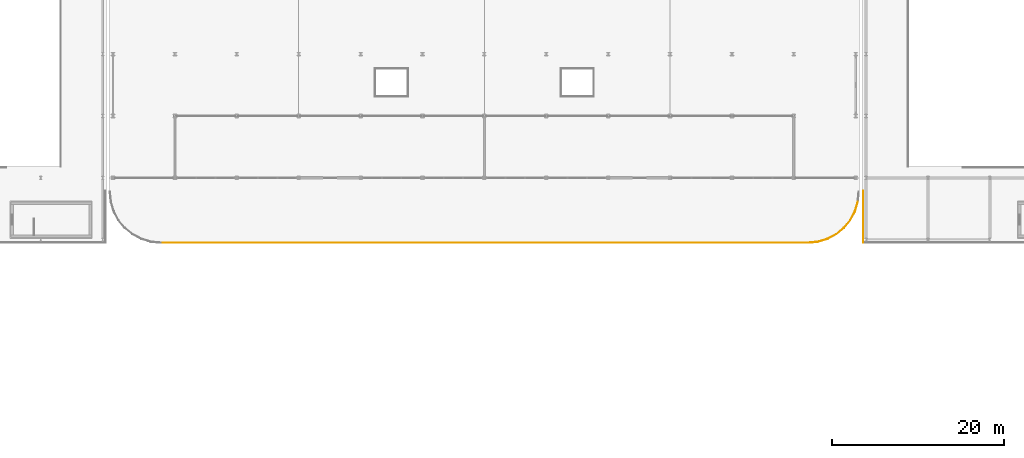
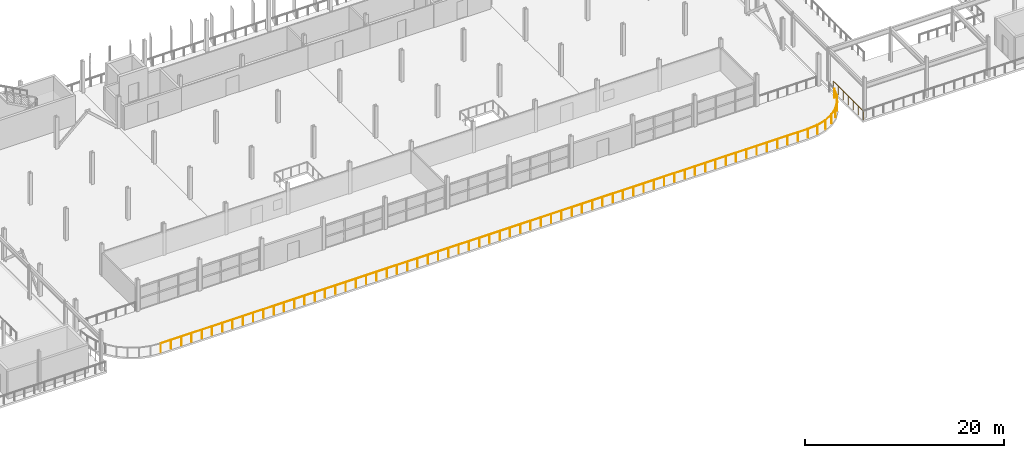
# One storey, part 35 of 40: 9 railings.
"""IFC4 building model written with IfcOpenShell, lengths in metres."""

from ifc_helpers import new_model, si_unit, direction, frame, origin, origin_2d, place, context, subcontext, project, spatial, circle, extrude, material, layer, layer_set, type_object, element, save


model = new_model("IFC4")

# Units and contexts
model_context = context("Model", 3, precision=1e-05, world=origin(), true_north=direction((0.0, 1.0)))
body_context = subcontext(model_context, "Body", "Model", "MODEL_VIEW")
ifc_project = project(units=[si_unit("LENGTHUNIT", "METRE"), si_unit("AREAUNIT", "SQUARE_METRE"), si_unit("VOLUMEUNIT", "CUBIC_METRE"), si_unit("PLANEANGLEUNIT", "RADIAN"), si_unit("MASSUNIT", "GRAM", prefix="KILO")], contexts=[model_context])

# Site, building, storey
site_placement = place(None, origin())
site = spatial("IfcSite", under=ifc_project, at=site_placement, CompositionType="ELEMENT")
building_placement = place(site_placement, origin())
building = spatial("IfcBuilding", under=site, at=building_placement, Name="Vaelcorin Mobility Hub", CompositionType="ELEMENT")
storey_placement = place(building_placement, frame((0.0, 0.0, 17.10009765625)))
storey = spatial("IfcBuildingStorey", under=building, at=storey_placement, Name="L04", CompositionType="ELEMENT", Elevation=17.10009765625)

# Railings
ifc_material_1 = material(Name="Galvanised structural steel ASTM A36", Category="steel")
ifc_layer_1 = layer(ifc_material_1, 0.070068359375)
ifc_layer_set_1 = layer_set([ifc_layer_1], Name="Galvanised structural steel ASTM A36")
railing_type_1 = type_object("IfcRailingType", Name="RL-GUARD-1100", PredefinedType="BALUSTRADE", material=ifc_layer_set_1)
railing_1_placement = place(storey_placement, frame((123.27001953125, 76.469970703125, 0.0)))
element("IfcRailing", 1, at=railing_1_placement, inside=storey, type_object=railing_type_1, Name="L04 Perimeter Guard GR-V2E-L04-16", PredefinedType="BALUSTRADE", context=body_context, shape_type="SweptSolid", body=[
    extrude(circle(Radius=0.02392578125, at=origin_2d()), frame((0.0, 0.0, 1.076171875), z_axis=(0.0, 1.0, 0.0), x_axis=(-1.0, 0.0, 0.0)), (0.0, 0.0, 1.0), 6.030029296875),
    extrude(circle(Radius=0.02099609375, at=origin_2d()), origin(), (0.0, 0.0, 1.0), 1.052001953125),
    extrude(circle(Radius=0.02099609375, at=origin_2d()), frame((0.0, 1.0048828125, 0.0)), (0.0, 0.0, 1.0), 1.052001953125),
    extrude(circle(Radius=0.02099609375, at=origin_2d()), frame((0.0, 2.010009765625, 0.0)), (0.0, 0.0, 1.0), 1.052001953125),
    extrude(circle(Radius=0.02099609375, at=origin_2d()), frame((0.0, 3.01513671875, 0.0)), (0.0, 0.0, 1.0), 1.052001953125),
    extrude(circle(Radius=0.02099609375, at=origin_2d()), frame((0.0, 4.02001953125, 0.0)), (0.0, 0.0, 1.0), 1.052001953125),
    extrude(circle(Radius=0.02099609375, at=origin_2d()), frame((0.0, 5.02490234375, 0.0)), (0.0, 0.0, 1.0), 1.052001953125),
    extrude(circle(Radius=0.02099609375, at=origin_2d()), frame((0.0, 6.030029296875, 0.0)), (0.0, 0.0, 1.0), 1.052001953125),
])
ifc_material_2 = material(Name="Anodised aluminium 6063-T6", Category="aluminium")
ifc_layer_2 = layer(ifc_material_2, 0.070068359375)
ifc_layer_set_2 = layer_set([ifc_layer_2], Name="Anodised aluminium 6063-T6")
railing_type_2 = type_object("IfcRailingType", Name="RL-GUARD-1150", PredefinedType="BALUSTRADE", material=ifc_layer_set_2)
railing_2_placement = place(storey_placement, frame((41.550048828125, 76.449951171875, 0.0)))
element("IfcRailing", 2, at=railing_2_placement, inside=storey, type_object=railing_type_2, Name="L04 Perimeter Guard GR-L04-VERANDA-09", PredefinedType="BALUSTRADE", context=body_context, shape_type="SweptSolid", body=[
    extrude(circle(Radius=0.02392578125, at=origin_2d()), frame((0.0, 0.0, 1.1259765625), z_axis=(1.0, 0.0, 0.0), x_axis=(0.0, 1.0, 0.0)), (0.0, 0.0, 1.0), 75.300048828125),
    extrude(circle(Radius=0.02099609375, at=origin_2d()), origin(), (0.0, 0.0, 1.0), 1.101806640625),
    extrude(circle(Radius=0.02099609375, at=origin_2d()), frame((1.1953125, 0.0, 0.0)), (0.0, 0.0, 1.0), 1.101806640625),
    extrude(circle(Radius=0.02099609375, at=origin_2d()), frame((2.390380859375, 0.0, 0.0)), (0.0, 0.0, 1.0), 1.101806640625),
    extrude(circle(Radius=0.02099609375, at=origin_2d()), frame((3.585693359375, 0.0, 0.0)), (0.0, 0.0, 1.0), 1.101806640625),
    extrude(circle(Radius=0.02099609375, at=origin_2d()), frame((4.781005859375, 0.0, 0.0)), (0.0, 0.0, 1.0), 1.101806640625),
    extrude(circle(Radius=0.02099609375, at=origin_2d()), frame((5.97607421875, 0.0, 0.0)), (0.0, 0.0, 1.0), 1.101806640625),
    extrude(circle(Radius=0.02099609375, at=origin_2d()), frame((7.17138671875, 0.0, 0.0)), (0.0, 0.0, 1.0), 1.101806640625),
    extrude(circle(Radius=0.02099609375, at=origin_2d()), frame((8.36669921875, 0.0, 0.0)), (0.0, 0.0, 1.0), 1.101806640625),
    extrude(circle(Radius=0.02099609375, at=origin_2d()), frame((9.56201171875, 0.0, 0.0)), (0.0, 0.0, 1.0), 1.101806640625),
    extrude(circle(Radius=0.02099609375, at=origin_2d()), frame((10.757080078125, 0.0, 0.0)), (0.0, 0.0, 1.0), 1.101806640625),
    extrude(circle(Radius=0.02099609375, at=origin_2d()), frame((11.952392578125, 0.0, 0.0)), (0.0, 0.0, 1.0), 1.101806640625),
    extrude(circle(Radius=0.02099609375, at=origin_2d()), frame((13.147705078125, 0.0, 0.0)), (0.0, 0.0, 1.0), 1.101806640625),
    extrude(circle(Radius=0.02099609375, at=origin_2d()), frame((14.3427734375, 0.0, 0.0)), (0.0, 0.0, 1.0), 1.101806640625),
    extrude(circle(Radius=0.02099609375, at=origin_2d()), frame((15.5380859375, 0.0, 0.0)), (0.0, 0.0, 1.0), 1.101806640625),
    extrude(circle(Radius=0.02099609375, at=origin_2d()), frame((16.7333984375, 0.0, 0.0)), (0.0, 0.0, 1.0), 1.101806640625),
    extrude(circle(Radius=0.02099609375, at=origin_2d()), frame((17.928466796875, 0.0, 0.0)), (0.0, 0.0, 1.0), 1.101806640625),
    extrude(circle(Radius=0.02099609375, at=origin_2d()), frame((19.123779296875, 0.0, 0.0)), (0.0, 0.0, 1.0), 1.101806640625),
    extrude(circle(Radius=0.02099609375, at=origin_2d()), frame((20.319091796875, 0.0, 0.0)), (0.0, 0.0, 1.0), 1.101806640625),
    extrude(circle(Radius=0.02099609375, at=origin_2d()), frame((21.514404296875, 0.0, 0.0)), (0.0, 0.0, 1.0), 1.101806640625),
    extrude(circle(Radius=0.02099609375, at=origin_2d()), frame((22.70947265625, 0.0, 0.0)), (0.0, 0.0, 1.0), 1.101806640625),
    extrude(circle(Radius=0.02099609375, at=origin_2d()), frame((23.90478515625, 0.0, 0.0)), (0.0, 0.0, 1.0), 1.101806640625),
    extrude(circle(Radius=0.02099609375, at=origin_2d()), frame((25.10009765625, 0.0, 0.0)), (0.0, 0.0, 1.0), 1.101806640625),
    extrude(circle(Radius=0.02099609375, at=origin_2d()), frame((26.295166015625, 0.0, 0.0)), (0.0, 0.0, 1.0), 1.101806640625),
    extrude(circle(Radius=0.02099609375, at=origin_2d()), frame((27.490478515625, 0.0, 0.0)), (0.0, 0.0, 1.0), 1.101806640625),
    extrude(circle(Radius=0.02099609375, at=origin_2d()), frame((28.685791015625, 0.0, 0.0)), (0.0, 0.0, 1.0), 1.101806640625),
    extrude(circle(Radius=0.02099609375, at=origin_2d()), frame((29.880859375, 0.0, 0.0)), (0.0, 0.0, 1.0), 1.101806640625),
    extrude(circle(Radius=0.02099609375, at=origin_2d()), frame((31.076171875, 0.0, 0.0)), (0.0, 0.0, 1.0), 1.101806640625),
    extrude(circle(Radius=0.02099609375, at=origin_2d()), frame((32.271484375, 0.0, 0.0)), (0.0, 0.0, 1.0), 1.101806640625),
    extrude(circle(Radius=0.02099609375, at=origin_2d()), frame((33.466796875, 0.0, 0.0)), (0.0, 0.0, 1.0), 1.101806640625),
    extrude(circle(Radius=0.02099609375, at=origin_2d()), frame((34.661865234375, 0.0, 0.0)), (0.0, 0.0, 1.0), 1.101806640625),
    extrude(circle(Radius=0.02099609375, at=origin_2d()), frame((35.857177734375, 0.0, 0.0)), (0.0, 0.0, 1.0), 1.101806640625),
    extrude(circle(Radius=0.02099609375, at=origin_2d()), frame((37.052490234375, 0.0, 0.0)), (0.0, 0.0, 1.0), 1.101806640625),
    extrude(circle(Radius=0.02099609375, at=origin_2d()), frame((38.24755859375, 0.0, 0.0)), (0.0, 0.0, 1.0), 1.101806640625),
    extrude(circle(Radius=0.02099609375, at=origin_2d()), frame((39.44287109375, 0.0, 0.0)), (0.0, 0.0, 1.0), 1.101806640625),
    extrude(circle(Radius=0.02099609375, at=origin_2d()), frame((40.63818359375, 0.0, 0.0)), (0.0, 0.0, 1.0), 1.101806640625),
    extrude(circle(Radius=0.02099609375, at=origin_2d()), frame((41.833251953125, 0.0, 0.0)), (0.0, 0.0, 1.0), 1.101806640625),
    extrude(circle(Radius=0.02099609375, at=origin_2d()), frame((43.028564453125, 0.0, 0.0)), (0.0, 0.0, 1.0), 1.101806640625),
    extrude(circle(Radius=0.02099609375, at=origin_2d()), frame((44.223876953125, 0.0, 0.0)), (0.0, 0.0, 1.0), 1.101806640625),
    extrude(circle(Radius=0.02099609375, at=origin_2d()), frame((45.419189453125, 0.0, 0.0)), (0.0, 0.0, 1.0), 1.101806640625),
    extrude(circle(Radius=0.02099609375, at=origin_2d()), frame((46.6142578125, 0.0, 0.0)), (0.0, 0.0, 1.0), 1.101806640625),
    extrude(circle(Radius=0.02099609375, at=origin_2d()), frame((47.8095703125, 0.0, 0.0)), (0.0, 0.0, 1.0), 1.101806640625),
    extrude(circle(Radius=0.02099609375, at=origin_2d()), frame((49.0048828125, 0.0, 0.0)), (0.0, 0.0, 1.0), 1.101806640625),
    extrude(circle(Radius=0.02099609375, at=origin_2d()), frame((50.199951171875, 0.0, 0.0)), (0.0, 0.0, 1.0), 1.101806640625),
    extrude(circle(Radius=0.02099609375, at=origin_2d()), frame((51.395263671875, 0.0, 0.0)), (0.0, 0.0, 1.0), 1.101806640625),
    extrude(circle(Radius=0.02099609375, at=origin_2d()), frame((52.590576171875, 0.0, 0.0)), (0.0, 0.0, 1.0), 1.101806640625),
    extrude(circle(Radius=0.02099609375, at=origin_2d()), frame((53.78564453125, 0.0, 0.0)), (0.0, 0.0, 1.0), 1.101806640625),
    extrude(circle(Radius=0.02099609375, at=origin_2d()), frame((54.98095703125, 0.0, 0.0)), (0.0, 0.0, 1.0), 1.101806640625),
    extrude(circle(Radius=0.02099609375, at=origin_2d()), frame((56.17626953125, 0.0, 0.0)), (0.0, 0.0, 1.0), 1.101806640625),
    extrude(circle(Radius=0.02099609375, at=origin_2d()), frame((57.37158203125, 0.0, 0.0)), (0.0, 0.0, 1.0), 1.101806640625),
    extrude(circle(Radius=0.02099609375, at=origin_2d()), frame((58.566650390625, 0.0, 0.0)), (0.0, 0.0, 1.0), 1.101806640625),
    extrude(circle(Radius=0.02099609375, at=origin_2d()), frame((59.761962890625, 0.0, 0.0)), (0.0, 0.0, 1.0), 1.101806640625),
    extrude(circle(Radius=0.02099609375, at=origin_2d()), frame((60.957275390625, 0.0, 0.0)), (0.0, 0.0, 1.0), 1.101806640625),
    extrude(circle(Radius=0.02099609375, at=origin_2d()), frame((62.15234375, 0.0, 0.0)), (0.0, 0.0, 1.0), 1.101806640625),
    extrude(circle(Radius=0.02099609375, at=origin_2d()), frame((63.34765625, 0.0, 0.0)), (0.0, 0.0, 1.0), 1.101806640625),
    extrude(circle(Radius=0.02099609375, at=origin_2d()), frame((64.54296875, 0.0, 0.0)), (0.0, 0.0, 1.0), 1.101806640625),
    extrude(circle(Radius=0.02099609375, at=origin_2d()), frame((65.738037109375, 0.0, 0.0)), (0.0, 0.0, 1.0), 1.101806640625),
    extrude(circle(Radius=0.02099609375, at=origin_2d()), frame((66.933349609375, 0.0, 0.0)), (0.0, 0.0, 1.0), 1.101806640625),
    extrude(circle(Radius=0.02099609375, at=origin_2d()), frame((68.128662109375, 0.0, 0.0)), (0.0, 0.0, 1.0), 1.101806640625),
    extrude(circle(Radius=0.02099609375, at=origin_2d()), frame((69.323974609375, 0.0, 0.0)), (0.0, 0.0, 1.0), 1.101806640625),
    extrude(circle(Radius=0.02099609375, at=origin_2d()), frame((70.51904296875, 0.0, 0.0)), (0.0, 0.0, 1.0), 1.101806640625),
    extrude(circle(Radius=0.02099609375, at=origin_2d()), frame((71.71435546875, 0.0, 0.0)), (0.0, 0.0, 1.0), 1.101806640625),
    extrude(circle(Radius=0.02099609375, at=origin_2d()), frame((72.90966796875, 0.0, 0.0)), (0.0, 0.0, 1.0), 1.101806640625),
    extrude(circle(Radius=0.02099609375, at=origin_2d()), frame((74.104736328125, 0.0, 0.0)), (0.0, 0.0, 1.0), 1.101806640625),
    extrude(circle(Radius=0.02099609375, at=origin_2d()), frame((75.300048828125, 0.0, 0.0)), (0.0, 0.0, 1.0), 1.101806640625),
])
railing_3_placement = place(storey_placement, frame((116.85009765625, 76.449951171875, 0.0)))
element("IfcRailing", 3, at=railing_3_placement, inside=storey, type_object=railing_type_2, Name="L04 Perimeter Guard GR-L04-VERANDA-10", PredefinedType="BALUSTRADE", context=body_context, shape_type="SweptSolid", body=[
    extrude(circle(Radius=0.02392578125, at=origin_2d()), frame((0.0, 0.0, 1.1259765625), z_axis=(0.995211224502, 0.097747729517, 0.0), x_axis=(-0.097747729517, 0.995211224502, 0.0)), (0.0, 0.0, 1.0), 1.156494140625),
    extrude(circle(Radius=0.02099609375, at=origin_2d()), origin(), (0.0, 0.0, 1.0), 1.101806640625),
    extrude(circle(Radius=0.02099609375, at=origin_2d()), frame((1.15087890625, 0.113037109375, 0.0)), (0.0, 0.0, 1.0), 1.101806640625),
])
railing_4_placement = place(storey_placement, frame((118.0009765625, 76.56298828125, 0.0)))
element("IfcRailing", 4, at=railing_4_placement, inside=storey, type_object=railing_type_2, Name="L04 Perimeter Guard GR-L04-VERANDA-11", PredefinedType="BALUSTRADE", context=body_context, shape_type="SweptSolid", body=[
    extrude(circle(Radius=0.02392578125, at=origin_2d()), frame((0.0, 0.0, 1.1259765625), z_axis=(0.956903619745, 0.290405686098, 0.0), x_axis=(-0.290405686098, 0.956903619745, 0.0)), (0.0, 0.0, 1.0), 1.15673828125),
    extrude(circle(Radius=0.02099609375, at=origin_2d()), origin(), (0.0, 0.0, 1.0), 1.101806640625),
    extrude(circle(Radius=0.02099609375, at=origin_2d()), frame((1.10693359375, 0.3359375, 0.0)), (0.0, 0.0, 1.0), 1.101806640625),
])
railing_5_placement = place(storey_placement, frame((119.10791015625, 76.89892578125, 0.0)))
element("IfcRailing", 5, at=railing_5_placement, inside=storey, type_object=railing_type_2, Name="L04 Perimeter Guard GR-L04-VERANDA-12", PredefinedType="BALUSTRADE", context=body_context, shape_type="SweptSolid", body=[
    extrude(circle(Radius=0.02392578125, at=origin_2d()), frame((0.0, 0.0, 1.1259765625), z_axis=(0.881937720686, 0.471365947892, 0.0), x_axis=(-0.471365947892, 0.881937720686, 0.0)), (0.0, 0.0, 1.0), 1.156494140625),
    extrude(circle(Radius=0.02099609375, at=origin_2d()), origin(), (0.0, 0.0, 1.0), 1.101806640625),
    extrude(circle(Radius=0.02099609375, at=origin_2d()), frame((1.02001953125, 0.545166015625, 0.0)), (0.0, 0.0, 1.0), 1.101806640625),
])
railing_6_placement = place(storey_placement, frame((120.1279296875, 77.444091796875, 0.0)))
element("IfcRailing", 6, at=railing_6_placement, inside=storey, type_object=railing_type_2, Name="L04 Perimeter Guard GR-L04-VERANDA-13", PredefinedType="BALUSTRADE", context=body_context, shape_type="SweptSolid", body=[
    extrude(circle(Radius=0.02392578125, at=origin_2d()), frame((0.0, 0.0, 1.1259765625), z_axis=(0.772940656902, 0.634478321859, 0.0), x_axis=(-0.634478321859, 0.772940656902, 0.0)), (0.0, 0.0, 1.0), 1.15673828125),
    extrude(circle(Radius=0.02099609375, at=origin_2d()), origin(), (0.0, 0.0, 1.0), 1.101806640625),
    extrude(circle(Radius=0.02099609375, at=origin_2d()), frame((0.89404296875, 0.73388671875, 0.0)), (0.0, 0.0, 1.0), 1.101806640625),
])
railing_7_placement = place(storey_placement, frame((121.02197265625, 78.177978515625, 0.0)))
element("IfcRailing", 7, at=railing_7_placement, inside=storey, type_object=railing_type_2, Name="L04 Perimeter Guard GR-L04-VERANDA-14", PredefinedType="BALUSTRADE", context=body_context, shape_type="SweptSolid", body=[
    extrude(circle(Radius=0.02392578125, at=origin_2d()), frame((0.0, 0.0, 1.1259765625), z_axis=(0.634604397991, 0.772837148467, 0.0), x_axis=(-0.772837148467, 0.634604397991, 0.0)), (0.0, 0.0, 1.0), 1.15673828125),
    extrude(circle(Radius=0.02099609375, at=origin_2d()), origin(), (0.0, 0.0, 1.0), 1.101806640625),
    extrude(circle(Radius=0.02099609375, at=origin_2d()), frame((0.734130859375, 0.89404296875, 0.0)), (0.0, 0.0, 1.0), 1.101806640625),
])
railing_8_placement = place(storey_placement, frame((121.756103515625, 79.072021484375, 0.0)))
element("IfcRailing", 8, at=railing_8_placement, inside=storey, type_object=railing_type_2, Name="L04 Perimeter Guard GR-L04-VERANDA-15", PredefinedType="BALUSTRADE", context=body_context, shape_type="SweptSolid", body=[
    extrude(circle(Radius=0.02392578125, at=origin_2d()), frame((0.0, 0.0, 1.1259765625), z_axis=(0.471201733909, 0.882025467864, 0.0), x_axis=(-0.882025467864, 0.471201733909, 0.0)), (0.0, 0.0, 1.0), 1.156494140625),
    extrude(circle(Radius=0.02099609375, at=origin_2d()), origin(), (0.0, 0.0, 1.0), 1.101806640625),
    extrude(circle(Radius=0.02099609375, at=origin_2d()), frame((0.544921875, 1.02001953125, 0.0)), (0.0, 0.0, 1.0), 1.101806640625),
])
railing_9_placement = place(storey_placement, frame((122.301025390625, 80.092041015625, 0.0)))
element("IfcRailing", 9, at=railing_9_placement, inside=storey, type_object=railing_type_2, Name="L04 Perimeter Guard GR-L04-VERANDA-16", PredefinedType="BALUSTRADE", context=body_context, shape_type="SweptSolid", body=[
    extrude(circle(Radius=0.02392578125, at=origin_2d()), frame((0.0, 0.0, 1.1259765625), z_axis=(0.290405686098, 0.956903619745, 0.0), x_axis=(-0.956903619745, 0.290405686098, 0.0)), (0.0, 0.0, 1.0), 1.15673828125),
    extrude(circle(Radius=0.02099609375, at=origin_2d()), origin(), (0.0, 0.0, 1.0), 1.101806640625),
    extrude(circle(Radius=0.02099609375, at=origin_2d()), frame((0.3359375, 1.10693359375, 0.0)), (0.0, 0.0, 1.0), 1.101806640625),
])

save(model, "model.ifc")
